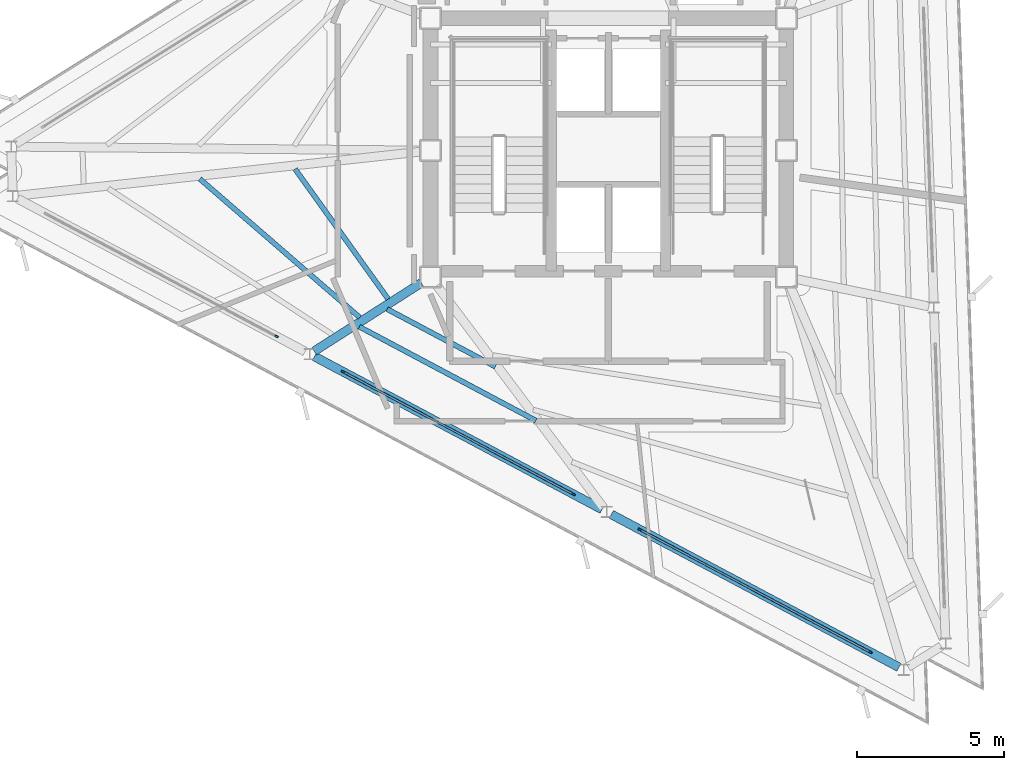
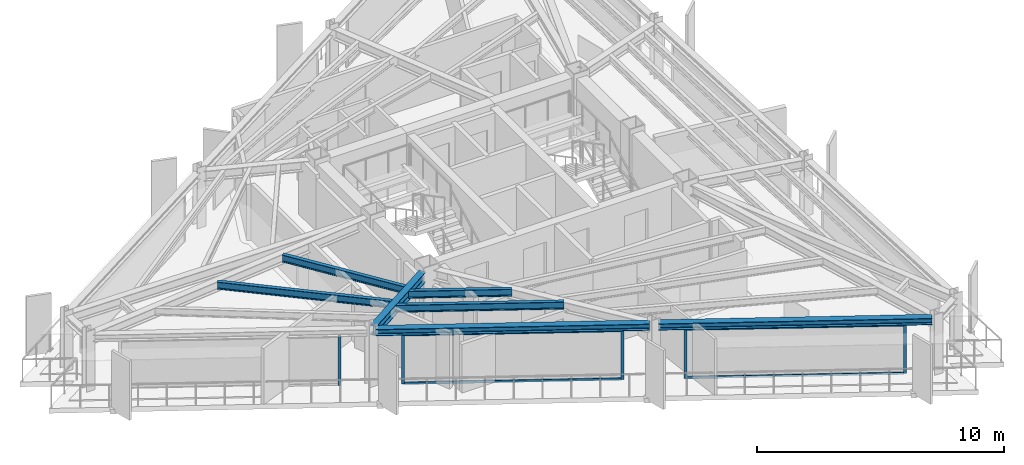
# One storey, part 2 of 12: 9 members, 7 beams, 3 elements without a shape of their own.
"""IFC4 building model written with IfcOpenShell, lengths in metres."""

from ifc_helpers import new_model, si_unit, direction, frame, origin, origin_2d, place, context, subcontext, project, spatial, rectangle, i_section, extrude, material, layer, layer_set, material_profile, profile_set, type_object, element, aggregate, save


model = new_model("IFC4")

# Units and contexts
model_context = context("Model", 3, precision=1e-05, world=origin(), true_north=direction((0.0, 1.0)))
body_context = subcontext(model_context, "Body", "Model", "MODEL_VIEW")
ifc_project = project(units=[si_unit("LENGTHUNIT", "METRE"), si_unit("AREAUNIT", "SQUARE_METRE"), si_unit("VOLUMEUNIT", "CUBIC_METRE"), si_unit("PLANEANGLEUNIT", "RADIAN"), si_unit("MASSUNIT", "GRAM", prefix="KILO")], contexts=[model_context])

# Site, building, storey
site_placement = place(None, origin())
site = spatial("IfcSite", under=ifc_project, at=site_placement, CompositionType="ELEMENT")
building_placement = place(site_placement, origin())
building = spatial("IfcBuilding", under=site, at=building_placement, Name="Rocaltana Carrier Exchange", CompositionType="ELEMENT")
storey_placement = place(building_placement, frame((0.0, 0.0, 205.760009765625)))
storey = spatial("IfcBuildingStorey", under=building, at=storey_placement, Name="L65", CompositionType="ELEMENT", Elevation=205.760009765625)

# Curtain wall, member
ifc_material_1 = material(Name="Aluminium 6063-T6", Category="aluminium")
ifc_layer = layer(ifc_material_1, 0.1201171875)
ifc_layer_set = layer_set([ifc_layer], Name="Aluminium 6063-T6")
curtain_wall_type = type_object("IfcCurtainWallType", Name="High-Altitude Thermal Curtain Wall CW-05", PredefinedType="NOTDEFINED", material=ifc_layer_set)
curtain_wall_1_placement = place(storey_placement, origin())
curtain_wall_1 = element("IfcCurtainWall", 1, at=curtain_wall_1_placement, inside=storey, type_object=curtain_wall_type, Name="L65 CW-05 Run CW-L65-F3S1", PredefinedType="NOTDEFINED")
ifc_material_2 = material(Name="Aluminium 6063-T6", Category="aluminium")
ifc_material_profile_1 = material_profile(ifc_material_2, rectangle(XDim=0.06005859375, YDim=0.1201171875, at=origin_2d()), Name="AL-60X120")
ifc_profile_set_1 = profile_set([ifc_material_profile_1], Name="Aluminium 6063-T6")
member_type_1 = type_object("IfcMemberType", Name="CW-05 Mullion AL-60X120", PredefinedType="MULLION", material=ifc_profile_set_1)
member_1_placement = place(storey_placement, frame((-11.282958984375, -6.31689453125, 0.0), z_axis=(0.0, 0.0, 1.0), x_axis=(0.469483388841, 0.882941304732, 0.0)))
member_1 = element("IfcMember", 2, at=member_1_placement, type_object=member_type_1, Name="CW-05 mullion 2", PredefinedType="MULLION", context=body_context, shape_type="SweptSolid", body=[
    extrude(rectangle(XDim=0.06005859375, YDim=0.1201171875, at=origin_2d()), origin(), (0.0, 0.0, 1.0), 2.447998046875),
])
aggregate(curtain_wall_1, [member_1])

# Curtain wall, members
curtain_wall_2_placement = place(storey_placement, origin())
curtain_wall_2 = element("IfcCurtainWall", 3, at=curtain_wall_2_placement, inside=storey, type_object=curtain_wall_type, Name="L65 CW-05 Run CW-L65-F3S2", PredefinedType="NOTDEFINED")
member_2_placement = place(storey_placement, frame((-9.0224609375, -7.5185546875, 0.0), z_axis=(0.0, 0.0, 1.0), x_axis=(0.469479302335, 0.882943477624, 0.0)))
member_2 = element("IfcMember", 4, at=member_2_placement, type_object=member_type_1, Name="CW-05 mullion 1", PredefinedType="MULLION", context=body_context, shape_type="SweptSolid", body=[
    extrude(rectangle(XDim=0.06005859375, YDim=0.1201171875, at=origin_2d()), origin(), (0.0, 0.0, 1.0), 2.447998046875),
])
member_3_placement = place(storey_placement, frame((-1.18798828125, -11.684326171875, 0.0), z_axis=(0.0, 0.0, 1.0), x_axis=(0.469479302335, 0.882943477624, 0.0)))
member_3 = element("IfcMember", 5, at=member_3_placement, type_object=member_type_1, Name="CW-05 mullion 2", PredefinedType="MULLION", context=body_context, shape_type="SweptSolid", body=[
    extrude(rectangle(XDim=0.06005859375, YDim=0.1201171875, at=origin_2d()), origin(), (0.0, 0.0, 1.0), 2.447998046875),
])

curtain_wall_3_placement = place(storey_placement, origin())
curtain_wall_3 = element("IfcCurtainWall", 6, at=curtain_wall_3_placement, inside=storey, type_object=curtain_wall_type, Name="L65 CW-05 Run CW-L65-F3S3", PredefinedType="NOTDEFINED")
member_4_placement = place(storey_placement, frame((1.072509765625, -12.88623046875, 0.0), z_axis=(0.0, 0.0, 1.0), x_axis=(0.469474662173, 0.882945944879, 0.0)))
member_4 = element("IfcMember", 7, at=member_4_placement, type_object=member_type_1, Name="CW-05 mullion 1", PredefinedType="MULLION", context=body_context, shape_type="SweptSolid", body=[
    extrude(rectangle(XDim=0.06005859375, YDim=0.1201171875, at=origin_2d()), origin(), (0.0, 0.0, 1.0), 2.447998046875),
])
member_5_placement = place(storey_placement, frame((8.9072265625, -17.052001953125, 0.0), z_axis=(0.0, 0.0, 1.0), x_axis=(0.469474662173, 0.882945944879, 0.0)))
member_5 = element("IfcMember", 8, at=member_5_placement, type_object=member_type_1, Name="CW-05 mullion 2", PredefinedType="MULLION", context=body_context, shape_type="SweptSolid", body=[
    extrude(rectangle(XDim=0.06005859375, YDim=0.1201171875, at=origin_2d()), origin(), (0.0, 0.0, 1.0), 2.447998046875),
])

# Member
ifc_material_3 = material(Name="Aluminium 6063-T6", Category="aluminium")
ifc_material_profile_2 = material_profile(ifc_material_3, rectangle(XDim=0.06005859375, YDim=0.1201171875, at=origin_2d()), Name="AL-60X120")
ifc_profile_set_2 = profile_set([ifc_material_profile_2], Name="Aluminium 6063-T6")
member_type_2 = type_object("IfcMemberType", Name="CW-05 Transom AL-60X120", PredefinedType="USERDEFINED", material=ifc_profile_set_2)
member_6_placement = place(storey_placement, frame((-8.99609375, -7.53271484375, 0.030029296875), z_axis=(0.882944221824, -0.469477902726, 0.0), x_axis=(0.469477902726, 0.882944221824, 0.0)))
member_6 = element("IfcMember", 9, at=member_6_placement, type_object=member_type_2, Name="CW-05 transom 1.1", ObjectType="TRANSOM", PredefinedType="USERDEFINED", context=body_context, shape_type="SweptSolid", body=[
    extrude(rectangle(XDim=0.06005859375, YDim=0.1201171875, at=origin_2d()), origin(), (0.0, 0.0, 1.0), 8.8134765625),
])

member_7_placement = place(storey_placement, frame((-8.99609375, -7.53271484375, 2.41796875), z_axis=(0.882944221824, -0.469477902726, 0.0), x_axis=(0.469477902726, 0.882944221824, 0.0)))
member_7 = element("IfcMember", 10, at=member_7_placement, type_object=member_type_2, Name="CW-05 transom 1.2", ObjectType="TRANSOM", PredefinedType="USERDEFINED", context=body_context, shape_type="SweptSolid", body=[
    extrude(rectangle(XDim=0.06005859375, YDim=0.1201171875, at=origin_2d()), origin(), (0.0, 0.0, 1.0), 8.8134765625),
])

aggregate(curtain_wall_2, [member_2, member_3, member_6, member_7])

member_8_placement = place(storey_placement, frame((1.098876953125, -12.900146484375, 0.030029296875), z_axis=(0.882944221824, -0.469477902726, 0.0), x_axis=(0.469477902726, 0.882944221824, 0.0)))
member_8 = element("IfcMember", 11, at=member_8_placement, type_object=member_type_2, Name="CW-05 transom 1.1", ObjectType="TRANSOM", PredefinedType="USERDEFINED", context=body_context, shape_type="SweptSolid", body=[
    extrude(rectangle(XDim=0.06005859375, YDim=0.1201171875, at=origin_2d()), origin(), (0.0, 0.0, 1.0), 8.8134765625),
])

member_9_placement = place(storey_placement, frame((1.098876953125, -12.900146484375, 2.41796875), z_axis=(0.882944221824, -0.469477902726, 0.0), x_axis=(0.469477902726, 0.882944221824, 0.0)))
member_9 = element("IfcMember", 12, at=member_9_placement, type_object=member_type_2, Name="CW-05 transom 1.2", ObjectType="TRANSOM", PredefinedType="USERDEFINED", context=body_context, shape_type="SweptSolid", body=[
    extrude(rectangle(XDim=0.06005859375, YDim=0.1201171875, at=origin_2d()), origin(), (0.0, 0.0, 1.0), 8.8134765625),
])

aggregate(curtain_wall_3, [member_4, member_5, member_8, member_9])

# Beams
ifc_material_4 = material(Name="Steel S355", Category="steel")
ifc_material_profile_3 = material_profile(ifc_material_4, i_section(OverallWidth=0.172119140625, OverallDepth=0.35791015625, WebThickness=0.0078125, FlangeThickness=0.01318359375, FilletRadius=0.011962890625, at=origin_2d()), Name="W14X38")
ifc_profile_set_3 = profile_set([ifc_material_profile_3], Name="Steel S355")
beam_type_1 = type_object("IfcBeamType", Name="Floor Joist W14X38", PredefinedType="JOIST", material=ifc_profile_set_3)
beam_1_placement = place(storey_placement, frame((-10.6513671875, -0.628662109375, 2.618896484375), z_axis=(0.582177044628, -0.813062044809, 0.0), x_axis=(0.813062044809, 0.582177044628, 0.0)))
element("IfcBeam", 13, at=beam_1_placement, inside=storey, type_object=beam_type_1, Name="FJ-L65-09-1", PredefinedType="JOIST", context=body_context, shape_type="SweptSolid", body=[
    extrude(i_section(OverallWidth=0.172119140625, OverallDepth=0.35791015625, WebThickness=0.0078125, FlangeThickness=0.01318359375, FilletRadius=0.011962890625, at=origin_2d()), origin(), (0.0, 0.0, 1.0), 5.43408203125),
])
beam_2_placement = place(storey_placement, frame((-13.891845703125, -0.96240234375, 2.618896484375), z_axis=(0.75579772027, -0.65480516647, 0.0), x_axis=(0.65480516647, 0.75579772027, 0.0)))
element("IfcBeam", 14, at=beam_2_placement, inside=storey, type_object=beam_type_1, Name="FJ-L65-09-2", PredefinedType="JOIST", context=body_context, shape_type="SweptSolid", body=[
    extrude(i_section(OverallWidth=0.172119140625, OverallDepth=0.35791015625, WebThickness=0.0078125, FlangeThickness=0.01318359375, FilletRadius=0.011962890625, at=origin_2d()), origin(), (0.0, 0.0, 1.0), 7.19189453125),
])
beam_3_placement = place(storey_placement, frame((-7.52294921875, -5.388427734375, 2.618896484375), z_axis=(0.882943632654, -0.469479010773, 0.0), x_axis=(0.469479010773, 0.882943632654, 0.0)))
element("IfcBeam", 15, at=beam_3_placement, inside=storey, type_object=beam_type_1, Name="FJ-L65-10-1", PredefinedType="JOIST", context=body_context, shape_type="SweptSolid", body=[
    extrude(i_section(OverallWidth=0.172119140625, OverallDepth=0.35791015625, WebThickness=0.0078125, FlangeThickness=0.01318359375, FilletRadius=0.011962890625, at=origin_2d()), origin(), (0.0, 0.0, 1.0), 4.171142578125),
])
beam_4_placement = place(storey_placement, frame((-8.466552734375, -5.990478515625, 2.618896484375), z_axis=(0.882938567036, -0.469488537496, 0.0), x_axis=(0.469488537496, 0.882938567036, 0.0)))
element("IfcBeam", 16, at=beam_4_placement, inside=storey, type_object=beam_type_1, Name="FJ-L65-10-2", PredefinedType="JOIST", context=body_context, shape_type="SweptSolid", body=[
    extrude(i_section(OverallWidth=0.172119140625, OverallDepth=0.35791015625, WebThickness=0.0078125, FlangeThickness=0.01318359375, FilletRadius=0.011962890625, at=origin_2d()), origin(), (0.0, 0.0, 1.0), 6.80078125),
])
ifc_material_5 = material(Name="Steel S355", Category="steel")
ifc_material_profile_4 = material_profile(ifc_material_5, i_section(OverallWidth=0.300048828125, OverallDepth=0.320068359375, WebThickness=0.011474609375, FlangeThickness=0.0205078125, FilletRadius=0.027099609375, at=origin_2d()), Name="HEB320")
ifc_profile_set_4 = profile_set([ifc_material_profile_4], Name="Steel S355")
beam_type_2 = type_object("IfcBeamType", Name="Spandrel Edge Beam HEB320", PredefinedType="SPANDREL", material=ifc_profile_set_4)
beam_5_placement = place(storey_placement, frame((-9.994140625, -7.001953125, 2.637939453125), z_axis=(0.882947252339, -0.46947220321, 0.0), x_axis=(0.46947220321, 0.882947252339, 0.0)))
element("IfcBeam", 17, at=beam_5_placement, inside=storey, type_object=beam_type_2, Name="SP-L65-10", PredefinedType="SPANDREL", context=body_context, shape_type="SweptSolid", body=[
    extrude(i_section(OverallWidth=0.300048828125, OverallDepth=0.320068359375, WebThickness=0.011474609375, FlangeThickness=0.0205078125, FilletRadius=0.027099609375, at=origin_2d()), origin(), (0.0, 0.0, 1.0), 11.073974609375),
])
beam_6_placement = place(storey_placement, frame((0.100830078125, -12.36962890625, 2.637939453125), z_axis=(0.882952111254, -0.469463064821, 0.0), x_axis=(0.469463064821, 0.882952111254, 0.0)))
element("IfcBeam", 18, at=beam_6_placement, inside=storey, type_object=beam_type_2, Name="SP-L65-11", PredefinedType="SPANDREL", context=body_context, shape_type="SweptSolid", body=[
    extrude(i_section(OverallWidth=0.300048828125, OverallDepth=0.320068359375, WebThickness=0.011474609375, FlangeThickness=0.0205078125, FilletRadius=0.027099609375, at=origin_2d()), origin(), (0.0, 0.0, 1.0), 11.07421875),
])
ifc_material_6 = material(Name="Steel S355", Category="steel")
ifc_material_profile_5 = material_profile(ifc_material_6, i_section(OverallWidth=0.300048828125, OverallDepth=0.5, WebThickness=0.014404296875, FlangeThickness=0.028076171875, FilletRadius=0.027099609375, at=origin_2d()), Name="HEB500")
ifc_profile_set_5 = profile_set([ifc_material_profile_5], Name="Steel S355")
beam_type_3 = type_object("IfcBeamType", Name="Upper Radial Girder HEB500", PredefinedType="BEAM", material=ifc_profile_set_5)
beam_7_placement = place(storey_placement, frame((-6.359375, -4.497314453125, 2.548095703125), z_axis=(-0.843002356226, -0.537909869213, 0.0), x_axis=(0.537909869213, -0.843002356226, 0.0)))
element("IfcBeam", 19, at=beam_7_placement, inside=storey, type_object=beam_type_3, Name="RG-L65-10", PredefinedType="BEAM", context=body_context, shape_type="SweptSolid", body=[
    extrude(i_section(OverallWidth=0.300048828125, OverallDepth=0.5, WebThickness=0.014404296875, FlangeThickness=0.028076171875, FilletRadius=0.027099609375, at=origin_2d()), origin(), (0.0, 0.0, 1.0), 4.3203125),
])

save(model, "model.ifc")
